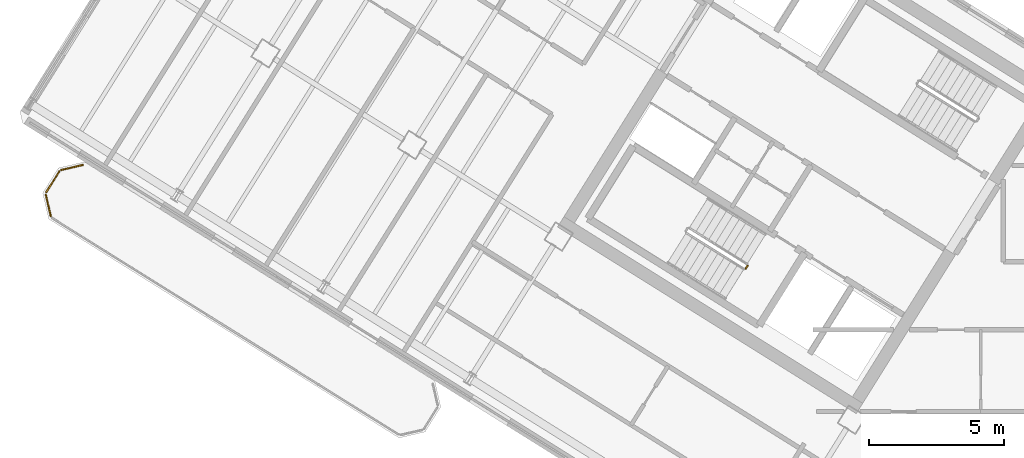
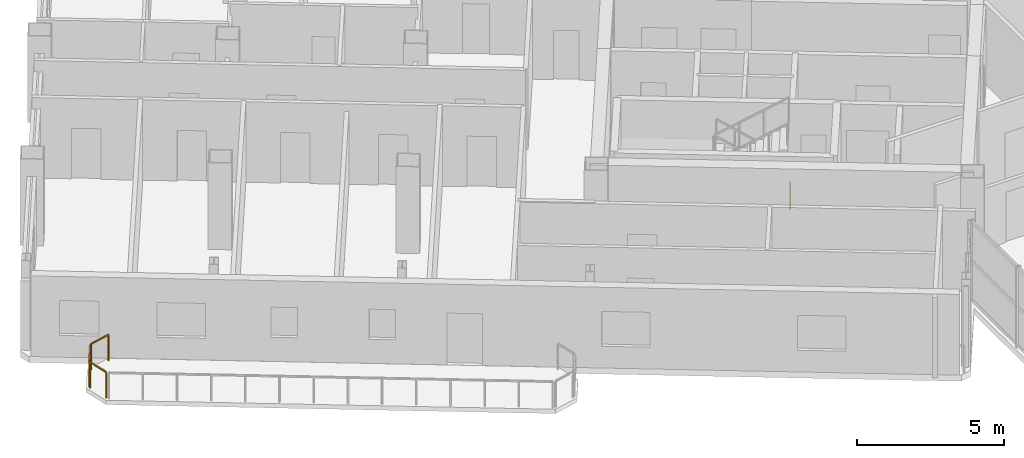
# One storey, part 23 of 29: 4 railings.
"""IFC4 building model written with IfcOpenShell, lengths in metres."""

from ifc_helpers import new_model, si_unit, direction, frame, origin, origin_2d, place, context, subcontext, project, spatial, rectangle, extrude, source, transform, mapped, material, type_object, element, save


model = new_model("IFC4")

# Units and contexts
model_context = context("Model", 3, precision=1e-05, world=origin(), true_north=direction((0.0, 1.0)))
body_context = subcontext(model_context, "Body", "Model", "MODEL_VIEW")
ifc_project = project(units=[si_unit("LENGTHUNIT", "METRE"), si_unit("AREAUNIT", "SQUARE_METRE"), si_unit("VOLUMEUNIT", "CUBIC_METRE"), si_unit("PLANEANGLEUNIT", "RADIAN"), si_unit("MASSUNIT", "GRAM", prefix="KILO")], contexts=[model_context])

# Site, building, storey
site_placement = place(None, origin())
site = spatial("IfcSite", under=ifc_project, at=site_placement, CompositionType="ELEMENT")
building_placement = place(site_placement, origin())
building = spatial("IfcBuilding", under=site, at=building_placement, Name="Tlacorven Tower", CompositionType="ELEMENT")
storey_placement = place(building_placement, frame((0.0, 0.0, 238.5)))
storey = spatial("IfcBuildingStorey", under=building, at=storey_placement, Name="L60", CompositionType="ELEMENT", Elevation=238.5)

# Railings
ifc_material = material(Name="Aluminium and painted steel balustrade", Category="steel")
railing_type_1 = type_object("IfcRailingType", Name="RL-BAL-1100", PredefinedType="BALUSTRADE", material=ifc_material)
shared_shape_1 = source(origin(), body_context, "Body", "SweptSolid", [
    extrude(rectangle(XDim=0.048095703125, YDim=0.048095703125, at=origin_2d()), frame((0.0, 0.0, 1.076171875), z_axis=(-0.225058334816, 0.974345290916, 0.0), x_axis=(-0.974345290916, -0.225058334816, 0.0)), (0.0, 0.0, 1.0), 0.80712890625),
    extrude(rectangle(XDim=0.0419921875, YDim=0.0419921875, at=origin_2d()), origin(), (0.0, 0.0, 1.0), 1.052001953125),
    extrude(rectangle(XDim=0.0419921875, YDim=0.0419921875, at=origin_2d()), frame((-0.181640625, 0.786376953125, 0.0)), (0.0, 0.0, 1.0), 1.052001953125),
])
railing_1_placement = place(storey_placement, frame((3.380859375, 19.62841796875, 0.0)))
element("IfcRailing", 1, at=railing_1_placement, inside=storey, type_object=railing_type_1, Name="BAL-L60-W-OUT Guard Railing 5", PredefinedType="BALUSTRADE", context=body_context, shape_type="MappedRepresentation", body=[
    mapped(shared_shape_1, transform((0.0, 0.0, 0.0), scale=1.0)),
])
shared_shape_2 = source(origin(), body_context, "Body", "SweptSolid", [
    extrude(rectangle(XDim=0.048095703125, YDim=0.048095703125, at=origin_2d()), frame((0.0, 0.0, 1.076171875), z_axis=(0.52987865805, 0.848073468364, 0.0), x_axis=(-0.848073468364, 0.52987865805, 0.0)), (0.0, 0.0, 1.0), 0.912353515625),
    extrude(rectangle(XDim=0.0419921875, YDim=0.0419921875, at=origin_2d()), origin(), (0.0, 0.0, 1.0), 1.052001953125),
    extrude(rectangle(XDim=0.0419921875, YDim=0.0419921875, at=origin_2d()), frame((0.4833984375, 0.773681640625, 0.0)), (0.0, 0.0, 1.0), 1.052001953125),
])
railing_2_placement = place(storey_placement, frame((3.214599609375, 20.505859375, 0.0)))
element("IfcRailing", 2, at=railing_2_placement, inside=storey, type_object=railing_type_1, Name="BAL-L60-W-OUT Guard Railing 6", PredefinedType="BALUSTRADE", context=body_context, shape_type="MappedRepresentation", body=[
    mapped(shared_shape_2, transform((0.0, 0.0, 0.0), scale=1.0)),
])
shared_shape_3 = source(origin(), body_context, "Body", "SweptSolid", [
    extrude(rectangle(XDim=0.048095703125, YDim=0.048095703125, at=origin_2d()), frame((0.0, 0.0, 1.076171875), z_axis=(0.974345290916, 0.225058334816, 0.0), x_axis=(-0.225058334816, 0.974345290916, 0.0)), (0.0, 0.0, 1.0), 0.80712890625),
    extrude(rectangle(XDim=0.0419921875, YDim=0.0419921875, at=origin_2d()), origin(), (0.0, 0.0, 1.0), 1.052001953125),
    extrude(rectangle(XDim=0.0419921875, YDim=0.0419921875, at=origin_2d()), frame((0.786376953125, 0.181640625, 0.0)), (0.0, 0.0, 1.0), 1.052001953125),
])
railing_3_placement = place(storey_placement, frame((3.773193359375, 21.3330078125, 0.0)))
element("IfcRailing", 3, at=railing_3_placement, inside=storey, type_object=railing_type_1, Name="BAL-L60-W-OUT Guard Railing 7", PredefinedType="BALUSTRADE", context=body_context, shape_type="MappedRepresentation", body=[
    mapped(shared_shape_3, transform((0.0, 0.0, 0.0), scale=1.0)),
])
railing_type_2 = type_object("IfcRailingType", Name="RL-GRD-1100", PredefinedType="GUARDRAIL", material=ifc_material)
shared_shape_4 = source(origin(), body_context, "Body", "SweptSolid", [
    extrude(rectangle(XDim=0.048095703125, YDim=0.048095703125, at=origin_2d()), frame((0.0, 0.0, 1.076171875), z_axis=(-0.529084052582, -0.848569422795, 0.0), x_axis=(0.848569422795, -0.529084052582, 0.0)), (0.0, 0.0, 1.0), 0.119873046875),
    extrude(rectangle(XDim=0.0419921875, YDim=0.0419921875, at=origin_2d()), origin(), (0.0, 0.0, 1.0), 1.052001953125),
    extrude(rectangle(XDim=0.0419921875, YDim=0.0419921875, at=origin_2d()), frame((-0.0634765625, -0.101806640625, 0.0)), (0.0, 0.0, 1.0), 1.052001953125),
])
railing_4_placement = place(storey_placement, frame((29.176513671875, 17.782958984375, 0.0)))
element("IfcRailing", 4, at=railing_4_placement, inside=storey, type_object=railing_type_2, Name="L60 ST-W1 stair guard 4", PredefinedType="GUARDRAIL", context=body_context, shape_type="MappedRepresentation", body=[
    mapped(shared_shape_4, transform((0.0, 0.0, 0.0), scale=1.0)),
])

save(model, "model.ifc")
